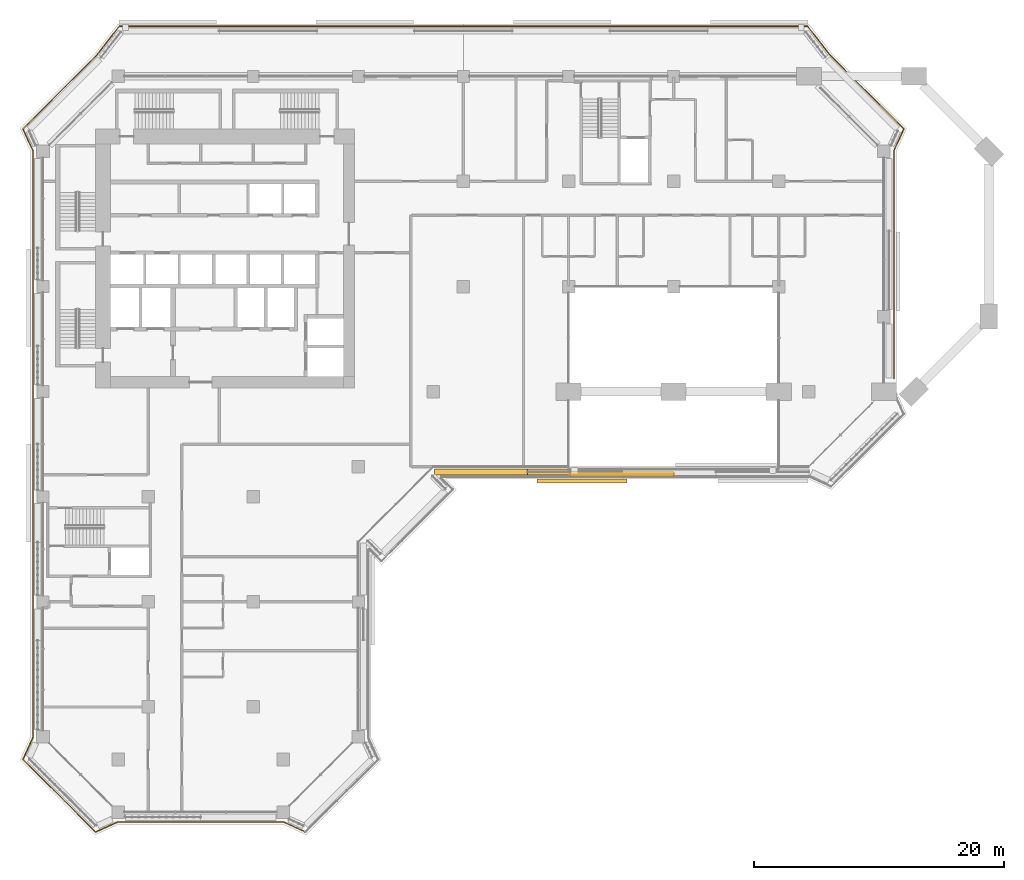
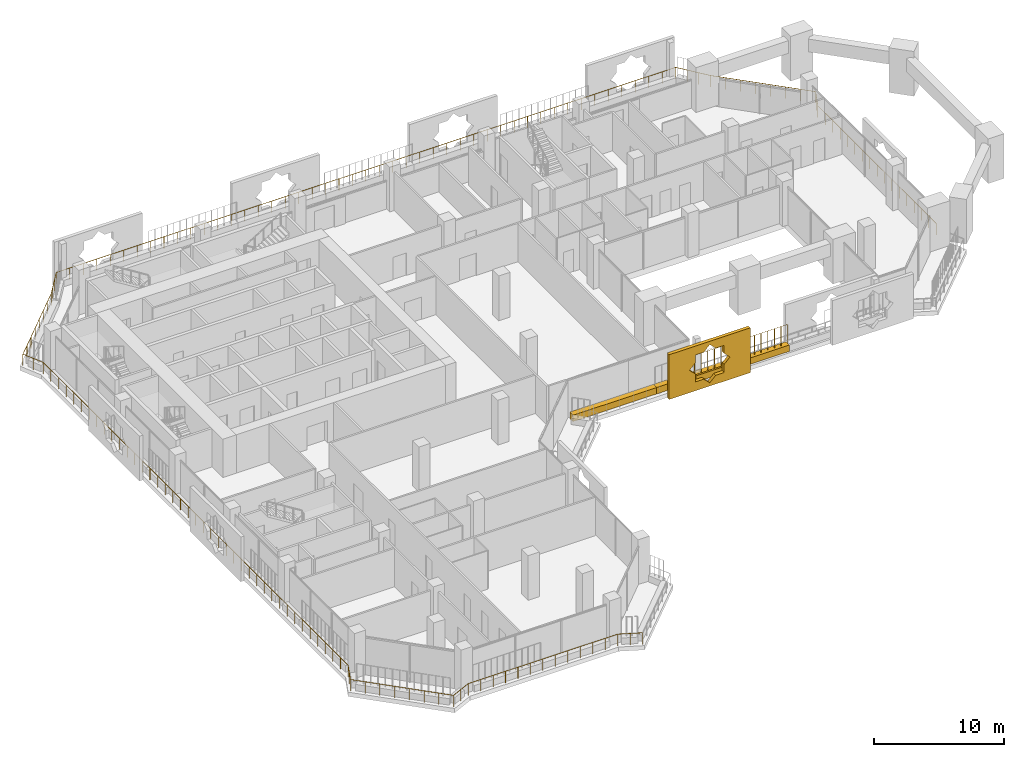
# One storey, part 19 of 23: 4 coverings, 2 railings.
"""IFC4 building model written with IfcOpenShell, lengths in metres."""

from ifc_helpers import new_model, si_unit, direction, frame, origin, origin_2d, place, context, subcontext, project, spatial, polyline, rectangle, circle, outline, extrude, material, material_profile, profile_set, type_object, element, save


model = new_model("IFC4")

# Units and contexts
model_context = context("Model", 3, precision=1e-05, world=origin(), true_north=direction((0.0, 1.0)))
body_context = subcontext(model_context, "Body", "Model", "MODEL_VIEW")
ifc_project = project(units=[si_unit("LENGTHUNIT", "METRE"), si_unit("AREAUNIT", "SQUARE_METRE"), si_unit("VOLUMEUNIT", "CUBIC_METRE"), si_unit("PLANEANGLEUNIT", "RADIAN"), si_unit("MASSUNIT", "GRAM", prefix="KILO")], contexts=[model_context])

# Site, building, storey
site_placement = place(None, origin())
site = spatial("IfcSite", under=ifc_project, at=site_placement, CompositionType="ELEMENT")
building_placement = place(site_placement, origin())
building = spatial("IfcBuilding", under=site, at=building_placement, Name="Kawkab Arch Medical Tower", CompositionType="ELEMENT")
storey_placement = place(building_placement, frame((0.0, 0.0, 166.800048828125)))
storey = spatial("IfcBuildingStorey", under=building, at=storey_placement, Name="L38", CompositionType="ELEMENT", Elevation=166.800048828125)

# Railing
ifc_material_1 = material(Name="Bronze anodised aluminium guard", Category="aluminium")
railing_type_1 = type_object("IfcRailingType", Name="Loggia and terrace guard 1100", PredefinedType="GUARDRAIL", material=ifc_material_1)
railing_1_placement = place(storey_placement, frame((20.9951171875, -60.39794921875, 0.0)))
element("IfcRailing", 1, at=railing_1_placement, inside=storey, type_object=railing_type_1, Name="Guard L38.LOG-01.2.1", PredefinedType="GUARDRAIL", context=body_context, shape_type="SweptSolid", body=[
    extrude(circle(Radius=0.02392578125, at=origin_2d()), frame((0.0, 0.0, 1.076171875), z_axis=(-0.910092688388, 0.414404752076, 0.0), x_axis=(-0.414404752076, -0.910092688388, 0.0)), (0.0, 0.0, 1.0), 1.92529296875),
    extrude(circle(Radius=0.02392578125, at=origin_2d()), frame((-1.752197265625, 0.7978515625, 1.076171875), z_axis=(-1.0, 0.0, 0.0), x_axis=(0.0, -1.0, 0.0)), (0.0, 0.0, 1.0), 13.285888671875),
    extrude(circle(Radius=0.02392578125, at=origin_2d()), frame((-15.0380859375, 0.7978515625, 1.076171875), z_axis=(-0.910070907914, -0.414452581809, 0.0), x_axis=(0.414452581809, -0.910070907914, 0.0)), (0.0, 0.0, 1.0), 1.925048828125),
    extrude(circle(Radius=0.02392578125, at=origin_2d()), frame((-16.7900390625, 0.0, 1.076171875), z_axis=(-0.707106781187, 0.707106781187, 0.0), x_axis=(-0.707106781187, -0.707106781187, 0.0)), (0.0, 0.0, 1.0), 8.20654296875),
    extrude(circle(Radius=0.02392578125, at=origin_2d()), frame((-22.593017578125, 5.802978515625, 1.076171875), z_axis=(0.414452581809, 0.910070907914, 0.0), x_axis=(-0.910070907914, 0.414452581809, 0.0)), (0.0, 0.0, 1.0), 1.925048828125),
    extrude(circle(Radius=0.02392578125, at=origin_2d()), frame((-21.795166015625, 7.554931640625, 1.076171875), z_axis=(0.0, 1.0, 0.0), x_axis=(-1.0, 0.0, 0.0)), (0.0, 0.0, 1.0), 46.885986328125),
    extrude(circle(Radius=0.02392578125, at=origin_2d()), frame((-21.795166015625, 54.44091796875, 1.076171875), z_axis=(-0.414452581809, 0.910070907914, 0.0), x_axis=(-0.910070907914, -0.414452581809, 0.0)), (0.0, 0.0, 1.0), 1.925048828125),
    extrude(circle(Radius=0.02392578125, at=origin_2d()), frame((-22.593017578125, 56.19287109375, 1.076171875), z_axis=(0.707092175918, 0.707121386154, 0.0), x_axis=(-0.707121386154, 0.707092175918, 0.0)), (0.0, 0.0, 1.0), 8.358154296875),
    extrude(circle(Radius=0.02392578125, at=origin_2d()), frame((-16.68310546875, 62.10302734375, 1.076171875), z_axis=(0.614144026922, 0.789193964876, 0.0), x_axis=(-0.789193964876, 0.614144026922, 0.0)), (0.0, 0.0, 1.0), 2.907958984375),
    extrude(circle(Radius=0.02392578125, at=origin_2d()), frame((-14.897216796875, 64.39794921875, 1.076171875), z_axis=(1.0, 0.0, 0.0), x_axis=(0.0, 1.0, 0.0)), (0.0, 0.0, 1.0), 55.004150390625),
    extrude(circle(Radius=0.02392578125, at=origin_2d()), frame((40.10693359375, 64.39794921875, 1.076171875), z_axis=(0.614144026922, -0.789193964876, 0.0), x_axis=(0.789193964876, 0.614144026922, 0.0)), (0.0, 0.0, 1.0), 2.907958984375),
    extrude(circle(Radius=0.02392578125, at=origin_2d()), frame((41.892822265625, 62.10302734375, 1.076171875), z_axis=(0.707106781187, -0.707106781187, 0.0), x_axis=(0.707106781187, 0.707106781187, 0.0)), (0.0, 0.0, 1.0), 8.358154296875),
    extrude(circle(Radius=0.02392578125, at=origin_2d()), frame((47.802978515625, 56.19287109375, 1.076171875), z_axis=(-0.414557610759, -0.910023069687, 0.0), x_axis=(0.910023069687, -0.414557610759, 0.0)), (0.0, 0.0, 1.0), 1.92529296875),
    extrude(circle(Radius=0.02392578125, at=origin_2d()), frame((47.0048828125, 54.44091796875, 1.076171875), z_axis=(0.0, -1.0, 0.0), x_axis=(1.0, 0.0, 0.0)), (0.0, 0.0, 1.0), 18.212890625),
    extrude(circle(Radius=0.02099609375, at=origin_2d()), origin(), (0.0, 0.0, 1.0), 1.052001953125),
    extrude(circle(Radius=0.02099609375, at=origin_2d()), frame((-0.8759765625, 0.39892578125, 0.0)), (0.0, 0.0, 1.0), 1.052001953125),
    extrude(circle(Radius=0.02099609375, at=origin_2d()), frame((-1.752197265625, 0.7978515625, 0.0)), (0.0, 0.0, 1.0), 1.052001953125),
    extrude(circle(Radius=0.02099609375, at=origin_2d()), frame((-2.859375, 0.7978515625, 0.0)), (0.0, 0.0, 1.0), 1.052001953125),
    extrude(circle(Radius=0.02099609375, at=origin_2d()), frame((-3.966552734375, 0.7978515625, 0.0)), (0.0, 0.0, 1.0), 1.052001953125),
    extrude(circle(Radius=0.02099609375, at=origin_2d()), frame((-5.07373046875, 0.7978515625, 0.0)), (0.0, 0.0, 1.0), 1.052001953125),
    extrude(circle(Radius=0.02099609375, at=origin_2d()), frame((-6.180908203125, 0.7978515625, 0.0)), (0.0, 0.0, 1.0), 1.052001953125),
    extrude(circle(Radius=0.02099609375, at=origin_2d()), frame((-7.2880859375, 0.7978515625, 0.0)), (0.0, 0.0, 1.0), 1.052001953125),
    extrude(circle(Radius=0.02099609375, at=origin_2d()), frame((-8.39501953125, 0.7978515625, 0.0)), (0.0, 0.0, 1.0), 1.052001953125),
    extrude(circle(Radius=0.02099609375, at=origin_2d()), frame((-9.502197265625, 0.7978515625, 0.0)), (0.0, 0.0, 1.0), 1.052001953125),
    extrude(circle(Radius=0.02099609375, at=origin_2d()), frame((-10.609375, 0.7978515625, 0.0)), (0.0, 0.0, 1.0), 1.052001953125),
    extrude(circle(Radius=0.02099609375, at=origin_2d()), frame((-11.716552734375, 0.7978515625, 0.0)), (0.0, 0.0, 1.0), 1.052001953125),
    extrude(circle(Radius=0.02099609375, at=origin_2d()), frame((-12.82373046875, 0.7978515625, 0.0)), (0.0, 0.0, 1.0), 1.052001953125),
    extrude(circle(Radius=0.02099609375, at=origin_2d()), frame((-13.930908203125, 0.7978515625, 0.0)), (0.0, 0.0, 1.0), 1.052001953125),
    extrude(circle(Radius=0.02099609375, at=origin_2d()), frame((-15.0380859375, 0.7978515625, 0.0)), (0.0, 0.0, 1.0), 1.052001953125),
    extrude(circle(Radius=0.02099609375, at=origin_2d()), frame((-15.9140625, 0.39892578125, 0.0)), (0.0, 0.0, 1.0), 1.052001953125),
    extrude(circle(Radius=0.02099609375, at=origin_2d()), frame((-16.7900390625, 0.0, 0.0)), (0.0, 0.0, 1.0), 1.052001953125),
    extrude(circle(Radius=0.02099609375, at=origin_2d()), frame((-17.619140625, 0.8291015625, 0.0)), (0.0, 0.0, 1.0), 1.052001953125),
    extrude(circle(Radius=0.02099609375, at=origin_2d()), frame((-18.447998046875, 1.657958984375, 0.0)), (0.0, 0.0, 1.0), 1.052001953125),
    extrude(circle(Radius=0.02099609375, at=origin_2d()), frame((-19.277099609375, 2.487060546875, 0.0)), (0.0, 0.0, 1.0), 1.052001953125),
    extrude(circle(Radius=0.02099609375, at=origin_2d()), frame((-20.10595703125, 3.31591796875, 0.0)), (0.0, 0.0, 1.0), 1.052001953125),
    extrude(circle(Radius=0.02099609375, at=origin_2d()), frame((-20.93505859375, 4.14501953125, 0.0)), (0.0, 0.0, 1.0), 1.052001953125),
    extrude(circle(Radius=0.02099609375, at=origin_2d()), frame((-21.763916015625, 4.973876953125, 0.0)), (0.0, 0.0, 1.0), 1.052001953125),
    extrude(circle(Radius=0.02099609375, at=origin_2d()), frame((-22.593017578125, 5.802978515625, 0.0)), (0.0, 0.0, 1.0), 1.052001953125),
    extrude(circle(Radius=0.02099609375, at=origin_2d()), frame((-22.194091796875, 6.678955078125, 0.0)), (0.0, 0.0, 1.0), 1.052001953125),
    extrude(circle(Radius=0.02099609375, at=origin_2d()), frame((-21.795166015625, 7.554931640625, 0.0)), (0.0, 0.0, 1.0), 1.052001953125),
    extrude(circle(Radius=0.02099609375, at=origin_2d()), frame((-21.795166015625, 8.72705078125, 0.0)), (0.0, 0.0, 1.0), 1.052001953125),
    extrude(circle(Radius=0.02099609375, at=origin_2d()), frame((-21.795166015625, 9.899169921875, 0.0)), (0.0, 0.0, 1.0), 1.052001953125),
    extrude(circle(Radius=0.02099609375, at=origin_2d()), frame((-21.795166015625, 11.0712890625, 0.0)), (0.0, 0.0, 1.0), 1.052001953125),
    extrude(circle(Radius=0.02099609375, at=origin_2d()), frame((-21.795166015625, 12.24365234375, 0.0)), (0.0, 0.0, 1.0), 1.052001953125),
    extrude(circle(Radius=0.02099609375, at=origin_2d()), frame((-21.795166015625, 13.415771484375, 0.0)), (0.0, 0.0, 1.0), 1.052001953125),
    extrude(circle(Radius=0.02099609375, at=origin_2d()), frame((-21.795166015625, 14.587890625, 0.0)), (0.0, 0.0, 1.0), 1.052001953125),
    extrude(circle(Radius=0.02099609375, at=origin_2d()), frame((-21.795166015625, 15.760009765625, 0.0)), (0.0, 0.0, 1.0), 1.052001953125),
    extrude(circle(Radius=0.02099609375, at=origin_2d()), frame((-21.795166015625, 16.93212890625, 0.0)), (0.0, 0.0, 1.0), 1.052001953125),
    extrude(circle(Radius=0.02099609375, at=origin_2d()), frame((-21.795166015625, 18.104248046875, 0.0)), (0.0, 0.0, 1.0), 1.052001953125),
    extrude(circle(Radius=0.02099609375, at=origin_2d()), frame((-21.795166015625, 19.2763671875, 0.0)), (0.0, 0.0, 1.0), 1.052001953125),
    extrude(circle(Radius=0.02099609375, at=origin_2d()), frame((-21.795166015625, 20.448486328125, 0.0)), (0.0, 0.0, 1.0), 1.052001953125),
    extrude(circle(Radius=0.02099609375, at=origin_2d()), frame((-21.795166015625, 21.62060546875, 0.0)), (0.0, 0.0, 1.0), 1.052001953125),
    extrude(circle(Radius=0.02099609375, at=origin_2d()), frame((-21.795166015625, 22.79296875, 0.0)), (0.0, 0.0, 1.0), 1.052001953125),
    extrude(circle(Radius=0.02099609375, at=origin_2d()), frame((-21.795166015625, 23.965087890625, 0.0)), (0.0, 0.0, 1.0), 1.052001953125),
    extrude(circle(Radius=0.02099609375, at=origin_2d()), frame((-21.795166015625, 25.13720703125, 0.0)), (0.0, 0.0, 1.0), 1.052001953125),
    extrude(circle(Radius=0.02099609375, at=origin_2d()), frame((-21.795166015625, 26.309326171875, 0.0)), (0.0, 0.0, 1.0), 1.052001953125),
    extrude(circle(Radius=0.02099609375, at=origin_2d()), frame((-21.795166015625, 27.4814453125, 0.0)), (0.0, 0.0, 1.0), 1.052001953125),
    extrude(circle(Radius=0.02099609375, at=origin_2d()), frame((-21.795166015625, 28.653564453125, 0.0)), (0.0, 0.0, 1.0), 1.052001953125),
    extrude(circle(Radius=0.02099609375, at=origin_2d()), frame((-21.795166015625, 29.82568359375, 0.0)), (0.0, 0.0, 1.0), 1.052001953125),
    extrude(circle(Radius=0.02099609375, at=origin_2d()), frame((-21.795166015625, 30.998046875, 0.0)), (0.0, 0.0, 1.0), 1.052001953125),
    extrude(circle(Radius=0.02099609375, at=origin_2d()), frame((-21.795166015625, 32.170166015625, 0.0)), (0.0, 0.0, 1.0), 1.052001953125),
    extrude(circle(Radius=0.02099609375, at=origin_2d()), frame((-21.795166015625, 33.34228515625, 0.0)), (0.0, 0.0, 1.0), 1.052001953125),
    extrude(circle(Radius=0.02099609375, at=origin_2d()), frame((-21.795166015625, 34.514404296875, 0.0)), (0.0, 0.0, 1.0), 1.052001953125),
    extrude(circle(Radius=0.02099609375, at=origin_2d()), frame((-21.795166015625, 35.6865234375, 0.0)), (0.0, 0.0, 1.0), 1.052001953125),
    extrude(circle(Radius=0.02099609375, at=origin_2d()), frame((-21.795166015625, 36.858642578125, 0.0)), (0.0, 0.0, 1.0), 1.052001953125),
    extrude(circle(Radius=0.02099609375, at=origin_2d()), frame((-21.795166015625, 38.03076171875, 0.0)), (0.0, 0.0, 1.0), 1.052001953125),
    extrude(circle(Radius=0.02099609375, at=origin_2d()), frame((-21.795166015625, 39.202880859375, 0.0)), (0.0, 0.0, 1.0), 1.052001953125),
    extrude(circle(Radius=0.02099609375, at=origin_2d()), frame((-21.795166015625, 40.375, 0.0)), (0.0, 0.0, 1.0), 1.052001953125),
    extrude(circle(Radius=0.02099609375, at=origin_2d()), frame((-21.795166015625, 41.54736328125, 0.0)), (0.0, 0.0, 1.0), 1.052001953125),
    extrude(circle(Radius=0.02099609375, at=origin_2d()), frame((-21.795166015625, 42.719482421875, 0.0)), (0.0, 0.0, 1.0), 1.052001953125),
    extrude(circle(Radius=0.02099609375, at=origin_2d()), frame((-21.795166015625, 43.8916015625, 0.0)), (0.0, 0.0, 1.0), 1.052001953125),
    extrude(circle(Radius=0.02099609375, at=origin_2d()), frame((-21.795166015625, 45.063720703125, 0.0)), (0.0, 0.0, 1.0), 1.052001953125),
    extrude(circle(Radius=0.02099609375, at=origin_2d()), frame((-21.795166015625, 46.23583984375, 0.0)), (0.0, 0.0, 1.0), 1.052001953125),
    extrude(circle(Radius=0.02099609375, at=origin_2d()), frame((-21.795166015625, 47.407958984375, 0.0)), (0.0, 0.0, 1.0), 1.052001953125),
    extrude(circle(Radius=0.02099609375, at=origin_2d()), frame((-21.795166015625, 48.580078125, 0.0)), (0.0, 0.0, 1.0), 1.052001953125),
    extrude(circle(Radius=0.02099609375, at=origin_2d()), frame((-21.795166015625, 49.75244140625, 0.0)), (0.0, 0.0, 1.0), 1.052001953125),
    extrude(circle(Radius=0.02099609375, at=origin_2d()), frame((-21.795166015625, 50.924560546875, 0.0)), (0.0, 0.0, 1.0), 1.052001953125),
    extrude(circle(Radius=0.02099609375, at=origin_2d()), frame((-21.795166015625, 52.0966796875, 0.0)), (0.0, 0.0, 1.0), 1.052001953125),
    extrude(circle(Radius=0.02099609375, at=origin_2d()), frame((-21.795166015625, 53.268798828125, 0.0)), (0.0, 0.0, 1.0), 1.052001953125),
    extrude(circle(Radius=0.02099609375, at=origin_2d()), frame((-21.795166015625, 54.44091796875, 0.0)), (0.0, 0.0, 1.0), 1.052001953125),
    extrude(circle(Radius=0.02099609375, at=origin_2d()), frame((-22.194091796875, 55.31689453125, 0.0)), (0.0, 0.0, 1.0), 1.052001953125),
    extrude(circle(Radius=0.02099609375, at=origin_2d()), frame((-22.593017578125, 56.19287109375, 0.0)), (0.0, 0.0, 1.0), 1.052001953125),
    extrude(circle(Radius=0.02099609375, at=origin_2d()), frame((-21.748779296875, 57.037109375, 0.0)), (0.0, 0.0, 1.0), 1.052001953125),
    extrude(circle(Radius=0.02099609375, at=origin_2d()), frame((-20.904541015625, 57.881591796875, 0.0)), (0.0, 0.0, 1.0), 1.052001953125),
    extrude(circle(Radius=0.02099609375, at=origin_2d()), frame((-20.060302734375, 58.725830078125, 0.0)), (0.0, 0.0, 1.0), 1.052001953125),
    extrude(circle(Radius=0.02099609375, at=origin_2d()), frame((-19.2158203125, 59.570068359375, 0.0)), (0.0, 0.0, 1.0), 1.052001953125),
    extrude(circle(Radius=0.02099609375, at=origin_2d()), frame((-18.37158203125, 60.414306640625, 0.0)), (0.0, 0.0, 1.0), 1.052001953125),
    extrude(circle(Radius=0.02099609375, at=origin_2d()), frame((-17.52734375, 61.2587890625, 0.0)), (0.0, 0.0, 1.0), 1.052001953125),
    extrude(circle(Radius=0.02099609375, at=origin_2d()), frame((-16.68310546875, 62.10302734375, 0.0)), (0.0, 0.0, 1.0), 1.052001953125),
    extrude(circle(Radius=0.02099609375, at=origin_2d()), frame((-16.087890625, 62.867919921875, 0.0)), (0.0, 0.0, 1.0), 1.052001953125),
    extrude(circle(Radius=0.02099609375, at=origin_2d()), frame((-15.492431640625, 63.633056640625, 0.0)), (0.0, 0.0, 1.0), 1.052001953125),
    extrude(circle(Radius=0.02099609375, at=origin_2d()), frame((-14.897216796875, 64.39794921875, 0.0)), (0.0, 0.0, 1.0), 1.052001953125),
    extrude(circle(Radius=0.02099609375, at=origin_2d()), frame((-13.701416015625, 64.39794921875, 0.0)), (0.0, 0.0, 1.0), 1.052001953125),
    extrude(circle(Radius=0.02099609375, at=origin_2d()), frame((-12.505615234375, 64.39794921875, 0.0)), (0.0, 0.0, 1.0), 1.052001953125),
    extrude(circle(Radius=0.02099609375, at=origin_2d()), frame((-11.31005859375, 64.39794921875, 0.0)), (0.0, 0.0, 1.0), 1.052001953125),
    extrude(circle(Radius=0.02099609375, at=origin_2d()), frame((-10.1142578125, 64.39794921875, 0.0)), (0.0, 0.0, 1.0), 1.052001953125),
    extrude(circle(Radius=0.02099609375, at=origin_2d()), frame((-8.91845703125, 64.39794921875, 0.0)), (0.0, 0.0, 1.0), 1.052001953125),
    extrude(circle(Radius=0.02099609375, at=origin_2d()), frame((-7.72265625, 64.39794921875, 0.0)), (0.0, 0.0, 1.0), 1.052001953125),
    extrude(circle(Radius=0.02099609375, at=origin_2d()), frame((-6.527099609375, 64.39794921875, 0.0)), (0.0, 0.0, 1.0), 1.052001953125),
    extrude(circle(Radius=0.02099609375, at=origin_2d()), frame((-5.331298828125, 64.39794921875, 0.0)), (0.0, 0.0, 1.0), 1.052001953125),
    extrude(circle(Radius=0.02099609375, at=origin_2d()), frame((-4.135498046875, 64.39794921875, 0.0)), (0.0, 0.0, 1.0), 1.052001953125),
    extrude(circle(Radius=0.02099609375, at=origin_2d()), frame((-2.939697265625, 64.39794921875, 0.0)), (0.0, 0.0, 1.0), 1.052001953125),
    extrude(circle(Radius=0.02099609375, at=origin_2d()), frame((-1.744140625, 64.39794921875, 0.0)), (0.0, 0.0, 1.0), 1.052001953125),
    extrude(circle(Radius=0.02099609375, at=origin_2d()), frame((-0.54833984375, 64.39794921875, 0.0)), (0.0, 0.0, 1.0), 1.052001953125),
    extrude(circle(Radius=0.02099609375, at=origin_2d()), frame((0.6474609375, 64.39794921875, 0.0)), (0.0, 0.0, 1.0), 1.052001953125),
    extrude(circle(Radius=0.02099609375, at=origin_2d()), frame((1.84326171875, 64.39794921875, 0.0)), (0.0, 0.0, 1.0), 1.052001953125),
    extrude(circle(Radius=0.02099609375, at=origin_2d()), frame((3.038818359375, 64.39794921875, 0.0)), (0.0, 0.0, 1.0), 1.052001953125),
    extrude(circle(Radius=0.02099609375, at=origin_2d()), frame((4.234619140625, 64.39794921875, 0.0)), (0.0, 0.0, 1.0), 1.052001953125),
    extrude(circle(Radius=0.02099609375, at=origin_2d()), frame((5.430419921875, 64.39794921875, 0.0)), (0.0, 0.0, 1.0), 1.052001953125),
    extrude(circle(Radius=0.02099609375, at=origin_2d()), frame((6.626220703125, 64.39794921875, 0.0)), (0.0, 0.0, 1.0), 1.052001953125),
    extrude(circle(Radius=0.02099609375, at=origin_2d()), frame((7.82177734375, 64.39794921875, 0.0)), (0.0, 0.0, 1.0), 1.052001953125),
    extrude(circle(Radius=0.02099609375, at=origin_2d()), frame((9.017578125, 64.39794921875, 0.0)), (0.0, 0.0, 1.0), 1.052001953125),
    extrude(circle(Radius=0.02099609375, at=origin_2d()), frame((10.21337890625, 64.39794921875, 0.0)), (0.0, 0.0, 1.0), 1.052001953125),
    extrude(circle(Radius=0.02099609375, at=origin_2d()), frame((11.4091796875, 64.39794921875, 0.0)), (0.0, 0.0, 1.0), 1.052001953125),
    extrude(circle(Radius=0.02099609375, at=origin_2d()), frame((12.60498046875, 64.39794921875, 0.0)), (0.0, 0.0, 1.0), 1.052001953125),
    extrude(circle(Radius=0.02099609375, at=origin_2d()), frame((13.800537109375, 64.39794921875, 0.0)), (0.0, 0.0, 1.0), 1.052001953125),
    extrude(circle(Radius=0.02099609375, at=origin_2d()), frame((14.996337890625, 64.39794921875, 0.0)), (0.0, 0.0, 1.0), 1.052001953125),
    extrude(circle(Radius=0.02099609375, at=origin_2d()), frame((16.192138671875, 64.39794921875, 0.0)), (0.0, 0.0, 1.0), 1.052001953125),
    extrude(circle(Radius=0.02099609375, at=origin_2d()), frame((17.387939453125, 64.39794921875, 0.0)), (0.0, 0.0, 1.0), 1.052001953125),
    extrude(circle(Radius=0.02099609375, at=origin_2d()), frame((18.58349609375, 64.39794921875, 0.0)), (0.0, 0.0, 1.0), 1.052001953125),
    extrude(circle(Radius=0.02099609375, at=origin_2d()), frame((19.779296875, 64.39794921875, 0.0)), (0.0, 0.0, 1.0), 1.052001953125),
    extrude(circle(Radius=0.02099609375, at=origin_2d()), frame((20.97509765625, 64.39794921875, 0.0)), (0.0, 0.0, 1.0), 1.052001953125),
    extrude(circle(Radius=0.02099609375, at=origin_2d()), frame((22.1708984375, 64.39794921875, 0.0)), (0.0, 0.0, 1.0), 1.052001953125),
    extrude(circle(Radius=0.02099609375, at=origin_2d()), frame((23.366455078125, 64.39794921875, 0.0)), (0.0, 0.0, 1.0), 1.052001953125),
    extrude(circle(Radius=0.02099609375, at=origin_2d()), frame((24.562255859375, 64.39794921875, 0.0)), (0.0, 0.0, 1.0), 1.052001953125),
    extrude(circle(Radius=0.02099609375, at=origin_2d()), frame((25.758056640625, 64.39794921875, 0.0)), (0.0, 0.0, 1.0), 1.052001953125),
    extrude(circle(Radius=0.02099609375, at=origin_2d()), frame((26.953857421875, 64.39794921875, 0.0)), (0.0, 0.0, 1.0), 1.052001953125),
    extrude(circle(Radius=0.02099609375, at=origin_2d()), frame((28.1494140625, 64.39794921875, 0.0)), (0.0, 0.0, 1.0), 1.052001953125),
    extrude(circle(Radius=0.02099609375, at=origin_2d()), frame((29.34521484375, 64.39794921875, 0.0)), (0.0, 0.0, 1.0), 1.052001953125),
    extrude(circle(Radius=0.02099609375, at=origin_2d()), frame((30.541015625, 64.39794921875, 0.0)), (0.0, 0.0, 1.0), 1.052001953125),
    extrude(circle(Radius=0.02099609375, at=origin_2d()), frame((31.73681640625, 64.39794921875, 0.0)), (0.0, 0.0, 1.0), 1.052001953125),
    extrude(circle(Radius=0.02099609375, at=origin_2d()), frame((32.932373046875, 64.39794921875, 0.0)), (0.0, 0.0, 1.0), 1.052001953125),
    extrude(circle(Radius=0.02099609375, at=origin_2d()), frame((34.128173828125, 64.39794921875, 0.0)), (0.0, 0.0, 1.0), 1.052001953125),
    extrude(circle(Radius=0.02099609375, at=origin_2d()), frame((35.323974609375, 64.39794921875, 0.0)), (0.0, 0.0, 1.0), 1.052001953125),
    extrude(circle(Radius=0.02099609375, at=origin_2d()), frame((36.519775390625, 64.39794921875, 0.0)), (0.0, 0.0, 1.0), 1.052001953125),
    extrude(circle(Radius=0.02099609375, at=origin_2d()), frame((37.71533203125, 64.39794921875, 0.0)), (0.0, 0.0, 1.0), 1.052001953125),
    extrude(circle(Radius=0.02099609375, at=origin_2d()), frame((38.9111328125, 64.39794921875, 0.0)), (0.0, 0.0, 1.0), 1.052001953125),
    extrude(circle(Radius=0.02099609375, at=origin_2d()), frame((40.10693359375, 64.39794921875, 0.0)), (0.0, 0.0, 1.0), 1.052001953125),
    extrude(circle(Radius=0.02099609375, at=origin_2d()), frame((40.7021484375, 63.633056640625, 0.0)), (0.0, 0.0, 1.0), 1.052001953125),
    extrude(circle(Radius=0.02099609375, at=origin_2d()), frame((41.297607421875, 62.867919921875, 0.0)), (0.0, 0.0, 1.0), 1.052001953125),
    extrude(circle(Radius=0.02099609375, at=origin_2d()), frame((41.892822265625, 62.10302734375, 0.0)), (0.0, 0.0, 1.0), 1.052001953125),
    extrude(circle(Radius=0.02099609375, at=origin_2d()), frame((42.737060546875, 61.2587890625, 0.0)), (0.0, 0.0, 1.0), 1.052001953125),
    extrude(circle(Radius=0.02099609375, at=origin_2d()), frame((43.58154296875, 60.414306640625, 0.0)), (0.0, 0.0, 1.0), 1.052001953125),
    extrude(circle(Radius=0.02099609375, at=origin_2d()), frame((44.42578125, 59.570068359375, 0.0)), (0.0, 0.0, 1.0), 1.052001953125),
    extrude(circle(Radius=0.02099609375, at=origin_2d()), frame((45.27001953125, 58.725830078125, 0.0)), (0.0, 0.0, 1.0), 1.052001953125),
    extrude(circle(Radius=0.02099609375, at=origin_2d()), frame((46.1142578125, 57.881591796875, 0.0)), (0.0, 0.0, 1.0), 1.052001953125),
    extrude(circle(Radius=0.02099609375, at=origin_2d()), frame((46.958740234375, 57.037109375, 0.0)), (0.0, 0.0, 1.0), 1.052001953125),
    extrude(circle(Radius=0.02099609375, at=origin_2d()), frame((47.802978515625, 56.19287109375, 0.0)), (0.0, 0.0, 1.0), 1.052001953125),
    extrude(circle(Radius=0.02099609375, at=origin_2d()), frame((47.40380859375, 55.31689453125, 0.0)), (0.0, 0.0, 1.0), 1.052001953125),
    extrude(circle(Radius=0.02099609375, at=origin_2d()), frame((47.0048828125, 54.44091796875, 0.0)), (0.0, 0.0, 1.0), 1.052001953125),
    extrude(circle(Radius=0.02099609375, at=origin_2d()), frame((47.0048828125, 53.302734375, 0.0)), (0.0, 0.0, 1.0), 1.052001953125),
    extrude(circle(Radius=0.02099609375, at=origin_2d()), frame((47.0048828125, 52.164306640625, 0.0)), (0.0, 0.0, 1.0), 1.052001953125),
    extrude(circle(Radius=0.02099609375, at=origin_2d()), frame((47.0048828125, 51.02587890625, 0.0)), (0.0, 0.0, 1.0), 1.052001953125),
    extrude(circle(Radius=0.02099609375, at=origin_2d()), frame((47.0048828125, 49.8876953125, 0.0)), (0.0, 0.0, 1.0), 1.052001953125),
    extrude(circle(Radius=0.02099609375, at=origin_2d()), frame((47.0048828125, 48.74951171875, 0.0)), (0.0, 0.0, 1.0), 1.052001953125),
    extrude(circle(Radius=0.02099609375, at=origin_2d()), frame((47.0048828125, 47.611083984375, 0.0)), (0.0, 0.0, 1.0), 1.052001953125),
    extrude(circle(Radius=0.02099609375, at=origin_2d()), frame((47.0048828125, 46.47265625, 0.0)), (0.0, 0.0, 1.0), 1.052001953125),
    extrude(circle(Radius=0.02099609375, at=origin_2d()), frame((47.0048828125, 45.33447265625, 0.0)), (0.0, 0.0, 1.0), 1.052001953125),
    extrude(circle(Radius=0.02099609375, at=origin_2d()), frame((47.0048828125, 44.1962890625, 0.0)), (0.0, 0.0, 1.0), 1.052001953125),
    extrude(circle(Radius=0.02099609375, at=origin_2d()), frame((47.0048828125, 43.057861328125, 0.0)), (0.0, 0.0, 1.0), 1.052001953125),
    extrude(circle(Radius=0.02099609375, at=origin_2d()), frame((47.0048828125, 41.91943359375, 0.0)), (0.0, 0.0, 1.0), 1.052001953125),
    extrude(circle(Radius=0.02099609375, at=origin_2d()), frame((47.0048828125, 40.78125, 0.0)), (0.0, 0.0, 1.0), 1.052001953125),
    extrude(circle(Radius=0.02099609375, at=origin_2d()), frame((47.0048828125, 39.64306640625, 0.0)), (0.0, 0.0, 1.0), 1.052001953125),
    extrude(circle(Radius=0.02099609375, at=origin_2d()), frame((47.0048828125, 38.504638671875, 0.0)), (0.0, 0.0, 1.0), 1.052001953125),
    extrude(circle(Radius=0.02099609375, at=origin_2d()), frame((47.0048828125, 37.3662109375, 0.0)), (0.0, 0.0, 1.0), 1.052001953125),
    extrude(circle(Radius=0.02099609375, at=origin_2d()), frame((47.0048828125, 36.22802734375, 0.0)), (0.0, 0.0, 1.0), 1.052001953125),
])

# Coverings
ifc_material_2 = material(Name="Bronze anodised aluminium mashrabiya panel, eight-point star pattern", Category="aluminium")
ifc_material_profile_1 = material_profile(ifc_material_2, outline(polyline([(-3.60009765625, -2.10009765625), (3.60009765625, -2.10009765625), (3.60009765625, 2.10009765625), (-3.60009765625, 2.10009765625), (-3.60009765625, -2.10009765625)]), holes=[polyline([(1.800048828125, 0.0), (1.272705078125, 0.527099609375), (1.272705078125, 1.272705078125), (0.527099609375, 1.272705078125), (0.0, 1.800048828125), (-0.527099609375, 1.272705078125), (-1.272705078125, 1.272705078125), (-1.272705078125, 0.527099609375), (-1.800048828125, 0.0), (-1.272705078125, -0.527099609375), (-1.272705078125, -1.272705078125), (-0.527099609375, -1.272705078125), (0.0, -1.800048828125), (0.527099609375, -1.272705078125), (1.272705078125, -1.272705078125), (1.272705078125, -0.527099609375), (1.800048828125, 0.0)])]), Name="Mashrabiya panel 7200x4200")
ifc_profile_set_1 = profile_set([ifc_material_profile_1], Name="Bronze anodised aluminium mashrabiya panel, eight-point star pattern")
covering_type_1 = type_object("IfcCoveringType", Name="Mashrabiya panel 7200 x 4200", PredefinedType="USERDEFINED", material=ifc_profile_set_1)
covering_1_placement = place(storey_placement, frame((43.06494140625, -32.199951171875, 1.699951171875), z_axis=(0.0, -1.0, 0.0), x_axis=(1.0, 0.0, 0.0)))
element("IfcCovering", 2, at=covering_1_placement, inside=storey, type_object=covering_type_1, Name="Mashrabiya panel L38.LOG-01-02.9", ObjectType="SCREEN", PredefinedType="USERDEFINED", context=body_context, shape_type="SweptSolid", body=[
    extrude(outline(polyline([(-3.60009765625, -2.10009765625), (3.60009765625, -2.10009765625), (3.60009765625, 2.10009765625), (-3.60009765625, 2.10009765625), (-3.60009765625, -2.10009765625)]), holes=[polyline([(1.800048828125, 0.0), (1.272705078125, 0.527099609375), (1.272705078125, 1.272705078125), (0.527099609375, 1.272705078125), (0.0, 1.800048828125), (-0.527099609375, 1.272705078125), (-1.272705078125, 1.272705078125), (-1.272705078125, 0.527099609375), (-1.800048828125, 0.0), (-1.272705078125, -0.527099609375), (-1.272705078125, -1.272705078125), (-0.527099609375, -1.272705078125), (0.0, -1.800048828125), (0.527099609375, -1.272705078125), (1.272705078125, -1.272705078125), (1.272705078125, -0.527099609375), (1.800048828125, 0.0)])]), origin(), (0.0, 0.0, 1.0), 0.300048828125),
])
ifc_material_3 = material(Name="Planting soil in a precast trough", Category="concrete")
ifc_material_profile_2 = material_profile(ifc_material_3, rectangle(XDim=0.5, YDim=0.60009765625, at=origin_2d()), Name="Trough 500x600")
ifc_profile_set_2 = profile_set([ifc_material_profile_2], Name="Planting soil in a precast trough")
covering_type_2 = type_object("IfcCoveringType", Name="Planter trough 500 x 600", PredefinedType="USERDEFINED", material=ifc_profile_set_2)
covering_2_placement = place(storey_placement, frame((42.1298828125, -31.780029296875, 0.300048828125), z_axis=(1.0, 0.0, 0.0), x_axis=(0.0, 1.0, 0.0)))
element("IfcCovering", 3, at=covering_2_placement, inside=storey, type_object=covering_type_2, Name="Planter L38.LOG-01-01.1", ObjectType="PLANTER", PredefinedType="USERDEFINED", context=body_context, shape_type="SweptSolid", body=[
    extrude(rectangle(XDim=0.5, YDim=0.60009765625, at=origin_2d()), origin(), (0.0, 0.0, 1.0), 8.27001953125),
])
covering_3_placement = place(storey_placement, frame((46.2548828125, -31.6201171875, 0.300048828125), z_axis=(-1.0, 0.0, 0.0), x_axis=(0.0, -1.0, 0.0)))
element("IfcCovering", 4, at=covering_3_placement, inside=storey, type_object=covering_type_2, Name="Planter L38.LOG-01-02.37", ObjectType="PLANTER", PredefinedType="USERDEFINED", context=body_context, shape_type="SweptSolid", body=[
    extrude(rectangle(XDim=0.5, YDim=0.60009765625, at=origin_2d()), origin(), (0.0, 0.0, 1.0), 7.534912109375),
])
covering_4_placement = place(storey_placement, frame((38.719970703125, -31.6201171875, 0.300048828125), z_axis=(-1.0, 0.0, 0.0), x_axis=(0.0, -1.0, 0.0)))
element("IfcCovering", 5, at=covering_4_placement, inside=storey, type_object=covering_type_2, Name="Planter L38.LOG-01-02.38", ObjectType="PLANTER", PredefinedType="USERDEFINED", context=body_context, shape_type="SweptSolid", body=[
    extrude(rectangle(XDim=0.5, YDim=0.60009765625, at=origin_2d()), origin(), (0.0, 0.0, 1.0), 7.43505859375),
])

# Railing
ifc_material_4 = material(Name="Bronze anodised aluminium trellis for climbing plants", Category="aluminium")
railing_type_2 = type_object("IfcRailingType", Name="Planting trellis 2400", PredefinedType="USERDEFINED", material=ifc_material_4)
railing_2_placement = place(storey_placement, frame((42.1298828125, -31.780029296875, 0.0)))
element("IfcRailing", 6, at=railing_2_placement, inside=storey, type_object=railing_type_2, Name="Planting trellis L38.LOG-01-01.1", ObjectType="TRELLIS", PredefinedType="USERDEFINED", context=body_context, shape_type="SweptSolid", body=[
    extrude(circle(Radius=0.01513671875, at=origin_2d()), frame((0.0, 0.0, 2.384765625), z_axis=(1.0, 0.0, 0.0), x_axis=(0.0, 1.0, 0.0)), (0.0, 0.0, 1.0), 8.27001953125),
    extrude(circle(Radius=0.030029296875, at=origin_2d()), origin(), (0.0, 0.0, 1.0), 2.369873046875),
    extrude(circle(Radius=0.030029296875, at=origin_2d()), frame((0.5908203125, 0.0, 0.0)), (0.0, 0.0, 1.0), 2.369873046875),
    extrude(circle(Radius=0.030029296875, at=origin_2d()), frame((1.181396484375, 0.0, 0.0)), (0.0, 0.0, 1.0), 2.369873046875),
    extrude(circle(Radius=0.030029296875, at=origin_2d()), frame((1.772216796875, 0.0, 0.0)), (0.0, 0.0, 1.0), 2.369873046875),
    extrude(circle(Radius=0.030029296875, at=origin_2d()), frame((2.36279296875, 0.0, 0.0)), (0.0, 0.0, 1.0), 2.369873046875),
    extrude(circle(Radius=0.030029296875, at=origin_2d()), frame((2.95361328125, 0.0, 0.0)), (0.0, 0.0, 1.0), 2.369873046875),
    extrude(circle(Radius=0.030029296875, at=origin_2d()), frame((3.544189453125, 0.0, 0.0)), (0.0, 0.0, 1.0), 2.369873046875),
    extrude(circle(Radius=0.030029296875, at=origin_2d()), frame((4.135009765625, 0.0, 0.0)), (0.0, 0.0, 1.0), 2.369873046875),
    extrude(circle(Radius=0.030029296875, at=origin_2d()), frame((4.725830078125, 0.0, 0.0)), (0.0, 0.0, 1.0), 2.369873046875),
    extrude(circle(Radius=0.030029296875, at=origin_2d()), frame((5.31640625, 0.0, 0.0)), (0.0, 0.0, 1.0), 2.369873046875),
    extrude(circle(Radius=0.030029296875, at=origin_2d()), frame((5.9072265625, 0.0, 0.0)), (0.0, 0.0, 1.0), 2.369873046875),
    extrude(circle(Radius=0.030029296875, at=origin_2d()), frame((6.497802734375, 0.0, 0.0)), (0.0, 0.0, 1.0), 2.369873046875),
    extrude(circle(Radius=0.030029296875, at=origin_2d()), frame((7.088623046875, 0.0, 0.0)), (0.0, 0.0, 1.0), 2.369873046875),
    extrude(circle(Radius=0.030029296875, at=origin_2d()), frame((7.67919921875, 0.0, 0.0)), (0.0, 0.0, 1.0), 2.369873046875),
    extrude(circle(Radius=0.030029296875, at=origin_2d()), frame((8.27001953125, 0.0, 0.0)), (0.0, 0.0, 1.0), 2.369873046875),
])

save(model, "model.ifc")
